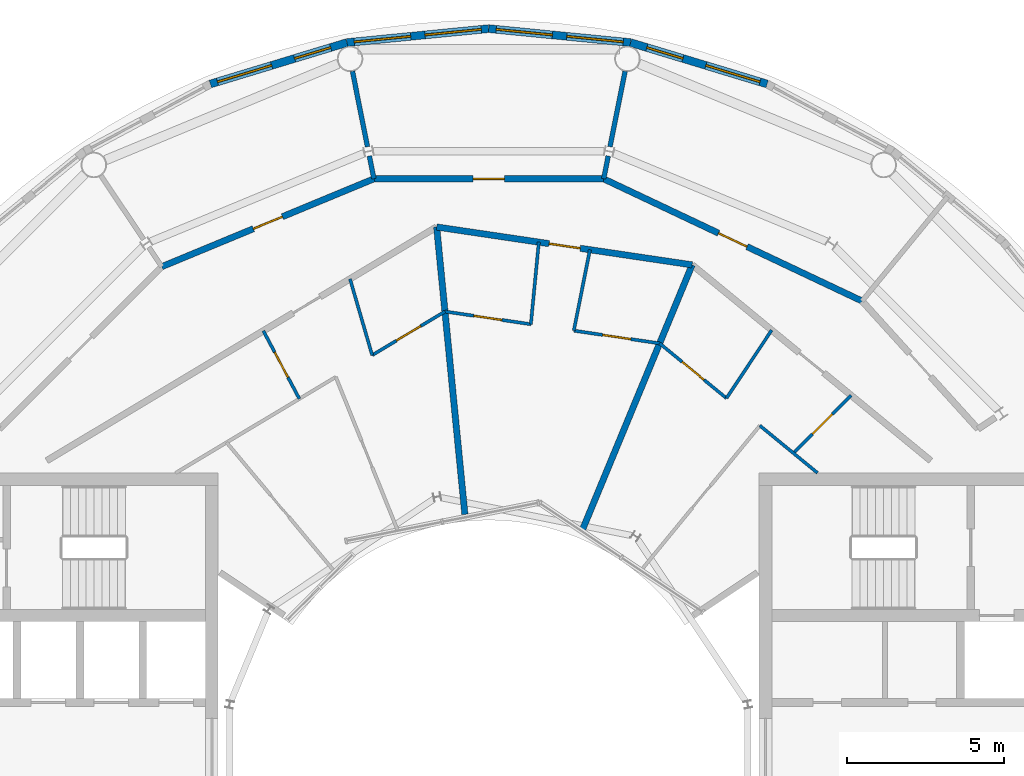
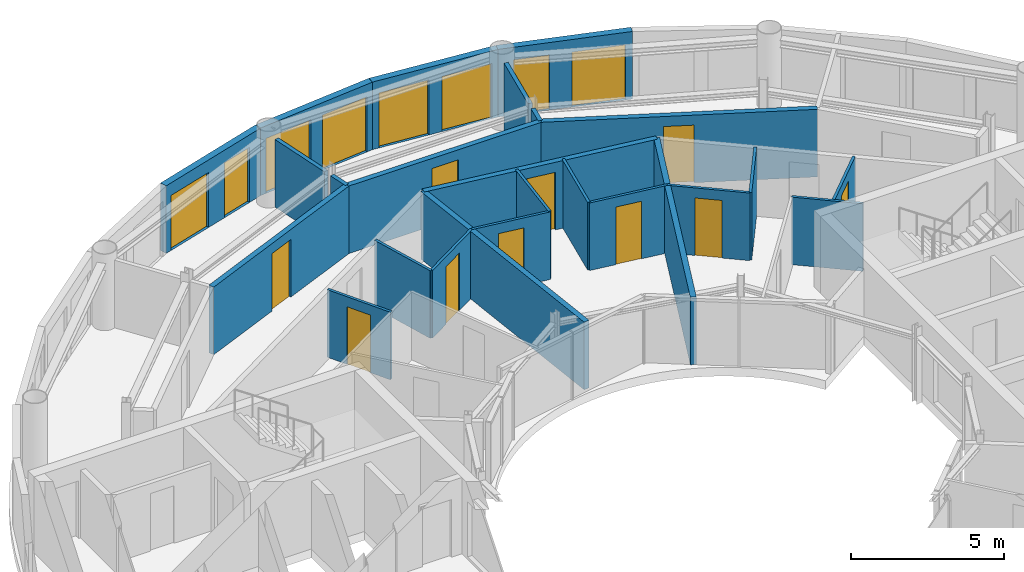
# One storey, part 13 of 17: 25 walls, 18 doors, 18 openings.
"""IFC4 building model written with IfcOpenShell, lengths in metres."""

from ifc_helpers import new_model, si_unit, direction, frame, frame_2d, origin, place, context, subcontext, project, spatial, rectangle, extrude, material, layer, layer_set, type_object, element, fill, save


model = new_model("IFC4")

# Units and contexts
model_context = context("Model", 3, precision=1e-05, world=origin(), true_north=direction((0.0, 1.0)))
body_context = subcontext(model_context, "Body", "Model", "MODEL_VIEW")
ifc_project = project(units=[si_unit("LENGTHUNIT", "METRE"), si_unit("AREAUNIT", "SQUARE_METRE"), si_unit("VOLUMEUNIT", "CUBIC_METRE"), si_unit("PLANEANGLEUNIT", "RADIAN"), si_unit("MASSUNIT", "GRAM", prefix="KILO")], contexts=[model_context])

# Site, building, storey
site_placement = place(None, origin())
site = spatial("IfcSite", under=ifc_project, at=site_placement, CompositionType="ELEMENT")
building_placement = place(site_placement, origin())
building = spatial("IfcBuilding", under=site, at=building_placement, Name="Maasbend Ring Residences", CompositionType="ELEMENT")
storey_placement = place(building_placement, frame((0.0, 0.0, 249.300048828125)))
storey = spatial("IfcBuildingStorey", under=building, at=storey_placement, Name="L72", CompositionType="ELEMENT", Elevation=249.300048828125)

# Wall, opening, door
ifc_material_1 = material(Name="Concrete C30/37", Category="concrete")
ifc_layer_1 = layer(ifc_material_1, 0.199951171875)
ifc_layer_set_1 = layer_set([ifc_layer_1], Name="Concrete C30/37")
wall_type_1 = type_object("IfcWallType", Name="CORRIDOR WALL 200 CONCRETE", PredefinedType="PARTITIONING", material=ifc_layer_set_1)
wall_1_placement = place(storey_placement, frame((-1.656005859375, 16.819091796875, 0.0), z_axis=(0.0, 0.0, 1.0), x_axis=(0.989174071716, -0.146746910856, 0.0)))
wall_1 = element("IfcWall", 1, at=wall_1_placement, inside=storey, type_object=wall_type_1, Name="U-L72-w065", PredefinedType="PARTITIONING", context=body_context, shape_type="SweptSolid", body=[
    extrude(rectangle(XDim=8.2119140625, YDim=0.199951171875, at=frame_2d((4.10595703125, 0.0))), origin(), (0.0, 0.0, 1.0), 2.699951171875),
])
opening_1_placement = place(wall_1_placement, frame((3.614013671875, 0.0, 0.0)))
opening_1 = element("IfcOpeningElement", 2, at=opening_1_placement, cuts=wall_1, Name="Opening D-7215", PredefinedType="OPENING", context=body_context, shape_type="SweptSolid", body=[
    extrude(rectangle(XDim=1.0, YDim=2.300048828125, at=frame_2d((0.5, 1.14990234375))), frame((0.0, 0.10986328125, 0.0), z_axis=(0.0, -1.0, 0.0), x_axis=(1.0, 0.0, 0.0)), (0.0, 0.0, 1.0), 0.219970703125),
])
ifc_material_2 = material(Name="Timber, fire-rated, painted", Category="wood")
door_type_1 = type_object("IfcDoorType", Name="FLAT ENTRANCE DOOR 1000 X 2300 FIRE-RATED", OperationType="NOTDEFINED", PredefinedType="DOOR", material=ifc_material_2)
door_1_placement = place(opening_1_placement, origin())
door_1 = element("IfcDoor", 3, at=door_1_placement, inside=storey, type_object=door_type_1, Name="D-7215", OperationType="SINGLE_SWING_RIGHT", OverallHeight=2.300048828125, OverallWidth=1.0, PredefinedType="DOOR", context=body_context, shape_type="SweptSolid", body=[
    extrude(rectangle(XDim=1.0, YDim=2.300048828125, at=frame_2d((0.5, 1.14990234375))), frame((0.0, 0.02490234375, 0.0), z_axis=(0.0, -1.0, 0.0), x_axis=(1.0, 0.0, 0.0)), (0.0, 0.0, 1.0), 0.050048828125),
])
fill(opening_1, door_1)

wall_2_placement = place(storey_placement, frame((3.64990234375, 18.35107421875, 0.0), z_axis=(0.0, 0.0, 1.0), x_axis=(0.904027935406, -0.427473381634, 0.0)))
wall_2 = element("IfcWall", 4, at=wall_2_placement, inside=storey, type_object=wall_type_1, Name="U-L72-w066", PredefinedType="PARTITIONING", context=body_context, shape_type="SweptSolid", body=[
    extrude(rectangle(XDim=9.0927734375, YDim=0.199951171875, at=frame_2d((4.54638671875, 0.0))), origin(), (0.0, 0.0, 1.0), 2.699951171875),
])
opening_2_placement = place(wall_2_placement, frame((4.0458984375, 0.0, 0.0)))
opening_2 = element("IfcOpeningElement", 5, at=opening_2_placement, cuts=wall_2, Name="Opening D-7202", PredefinedType="OPENING", context=body_context, shape_type="SweptSolid", body=[
    extrude(rectangle(XDim=1.0, YDim=2.300048828125, at=frame_2d((0.5, 1.14990234375))), frame((0.0, 0.10986328125, 0.0), z_axis=(0.0, -1.0, 0.0), x_axis=(1.0, 0.0, 0.0)), (0.0, 0.0, 1.0), 0.219970703125),
])
ifc_material_3 = material(Name="Timber, painted", Category="wood")
door_type_2 = type_object("IfcDoorType", Name="ROOM DOOR 1000 X 2300", OperationType="NOTDEFINED", PredefinedType="DOOR", material=ifc_material_3)
door_2_placement = place(opening_2_placement, origin())
door_2 = element("IfcDoor", 6, at=door_2_placement, inside=storey, type_object=door_type_2, Name="D-7202", OperationType="SINGLE_SWING_RIGHT", OverallHeight=2.300048828125, OverallWidth=1.0, PredefinedType="DOOR", context=body_context, shape_type="SweptSolid", body=[
    extrude(rectangle(XDim=1.0, YDim=2.300048828125, at=frame_2d((0.5, 1.14990234375))), frame((0.0, 0.02490234375, 0.0), z_axis=(0.0, -1.0, 0.0), x_axis=(1.0, 0.0, 0.0)), (0.0, 0.0, 1.0), 0.050048828125),
])
fill(opening_2, door_2)

wall_3_placement = place(storey_placement, frame((-10.39501953125, 15.556884765625, 0.0), z_axis=(0.0, 0.0, 1.0), x_axis=(0.923866436038, 0.382715048518, 0.0)))
wall_3 = element("IfcWall", 7, at=wall_3_placement, inside=storey, type_object=wall_type_1, Name="U-L72-w068", PredefinedType="PARTITIONING", context=body_context, shape_type="SweptSolid", body=[
    extrude(rectangle(XDim=7.301025390625, YDim=0.199951171875, at=frame_2d((3.650390625, 0.0))), origin(), (0.0, 0.0, 1.0), 2.699951171875),
])
opening_3_placement = place(wall_3_placement, frame((3.14990234375, 0.0, 0.0)))
opening_3 = element("IfcOpeningElement", 8, at=opening_3_placement, cuts=wall_3, Name="Opening D-7204", PredefinedType="OPENING", context=body_context, shape_type="SweptSolid", body=[
    extrude(rectangle(XDim=1.0, YDim=2.300048828125, at=frame_2d((0.5, 1.14990234375))), frame((0.0, 0.10986328125, 0.0), z_axis=(0.0, -1.0, 0.0), x_axis=(1.0, 0.0, 0.0)), (0.0, 0.0, 1.0), 0.219970703125),
])
door_3_placement = place(opening_3_placement, origin())
door_3 = element("IfcDoor", 9, at=door_3_placement, inside=storey, type_object=door_type_2, Name="D-7204", OperationType="SINGLE_SWING_LEFT", OverallHeight=2.300048828125, OverallWidth=1.0, PredefinedType="DOOR", context=body_context, shape_type="SweptSolid", body=[
    extrude(rectangle(XDim=1.0, YDim=2.300048828125, at=frame_2d((0.5, 1.14990234375))), frame((0.0, 0.02490234375, 0.0), z_axis=(0.0, -1.0, 0.0), x_axis=(1.0, 0.0, 0.0)), (0.0, 0.0, 1.0), 0.050048828125),
])
fill(opening_3, door_3)

wall_4_placement = place(storey_placement, frame((-3.64990234375, 18.35107421875, 0.0), z_axis=(0.0, 0.0, 1.0), x_axis=(1.0, 0.0, 0.0)))
wall_4 = element("IfcWall", 10, at=wall_4_placement, inside=storey, type_object=wall_type_1, Name="U-L72-w069", PredefinedType="PARTITIONING", context=body_context, shape_type="SweptSolid", body=[
    extrude(rectangle(XDim=7.2998046875, YDim=0.199951171875, at=frame_2d((3.64990234375, 0.0))), origin(), (0.0, 0.0, 1.0), 2.699951171875),
])
opening_4_placement = place(wall_4_placement, frame((3.14990234375, 0.0, 0.0)))
opening_4 = element("IfcOpeningElement", 11, at=opening_4_placement, cuts=wall_4, Name="Opening D-7203", PredefinedType="OPENING", context=body_context, shape_type="SweptSolid", body=[
    extrude(rectangle(XDim=1.0, YDim=2.300048828125, at=frame_2d((0.5, 1.14990234375))), frame((0.0, 0.10986328125, 0.0), z_axis=(0.0, -1.0, 0.0), x_axis=(1.0, 0.0, 0.0)), (0.0, 0.0, 1.0), 0.219970703125),
])
door_4_placement = place(opening_4_placement, origin())
door_4 = element("IfcDoor", 12, at=door_4_placement, inside=storey, type_object=door_type_2, Name="D-7203", OperationType="SINGLE_SWING_LEFT", OverallHeight=2.300048828125, OverallWidth=1.0, PredefinedType="DOOR", context=body_context, shape_type="SweptSolid", body=[
    extrude(rectangle(XDim=1.0, YDim=2.300048828125, at=frame_2d((0.5, 1.14990234375))), frame((0.0, 0.02490234375, 0.0), z_axis=(0.0, -1.0, 0.0), x_axis=(1.0, 0.0, 0.0)), (0.0, 0.0, 1.0), 0.050048828125),
])
fill(opening_4, door_4)

# Wall, openings, doors
ifc_material_4 = material(Name="Aluminium clad insulated panel", Category="aluminium")
ifc_layer_2 = layer(ifc_material_4, 0.25)
ifc_layer_set_2 = layer_set([ifc_layer_2], Name="EW-GL")
wall_type_2 = type_object("IfcWallType", Name="EW-GL", PredefinedType="SOLIDWALL", material=ifc_layer_set_2)
wall_5_placement = place(storey_placement, frame((8.85009765625, 21.364990234375, 0.0), z_axis=(0.0, 0.0, 1.0), x_axis=(-0.956960982965, 0.290216603735, 0.0)))
wall_5 = element("IfcWall", 13, at=wall_5_placement, inside=storey, type_object=wall_type_2, Name="External wall N04", PredefinedType="SOLIDWALL", context=body_context, shape_type="SweptSolid", body=[
    extrude(rectangle(XDim=4.5341796875, YDim=0.25, at=frame_2d((2.26708984375, 0.0))), origin(), (0.0, 0.0, 1.0), 2.699951171875),
])
opening_5_placement = place(wall_5_placement, frame((0.236083984375, 0.0, 0.0)))
opening_5 = element("IfcOpeningElement", 14, at=opening_5_placement, cuts=wall_5, Name="Opening D-TR", PredefinedType="OPENING", context=body_context, shape_type="SweptSolid", body=[
    extrude(rectangle(XDim=1.800048828125, YDim=2.199951171875, at=frame_2d((0.89990234375, 1.10009765625))), frame((0.0, 0.135009765625, 0.0), z_axis=(0.0, -1.0, 0.0), x_axis=(1.0, 0.0, 0.0)), (0.0, 0.0, 1.0), 0.27001953125),
])
opening_6_placement = place(wall_5_placement, frame((2.797119140625, 0.0, 0.0)))
opening_6 = element("IfcOpeningElement", 15, at=opening_6_placement, cuts=wall_5, Name="Opening D-TN", PredefinedType="OPENING", context=body_context, shape_type="SweptSolid", body=[
    extrude(rectangle(XDim=1.199951171875, YDim=2.199951171875, at=frame_2d((0.60009765625, 1.10009765625))), frame((0.0, 0.135009765625, 0.0), z_axis=(0.0, -1.0, 0.0), x_axis=(1.0, 0.0, 0.0)), (0.0, 0.0, 1.0), 0.27001953125),
])
ifc_material_5 = material(Name="Aluminium and clear glass", Category="aluminium")
door_type_3 = type_object("IfcDoorType", Name="D-TN", OperationType="SINGLE_SWING_LEFT", PredefinedType="DOOR", material=ifc_material_5)
door_5_placement = place(opening_6_placement, origin())
door_5 = element("IfcDoor", 16, at=door_5_placement, inside=storey, type_object=door_type_3, Name="Terrace door N08", OperationType="SINGLE_SWING_LEFT", OverallHeight=2.199951171875, OverallWidth=1.199951171875, PredefinedType="DOOR", context=body_context, shape_type="SweptSolid", body=[
    extrude(rectangle(XDim=1.199951171875, YDim=2.199951171875, at=frame_2d((0.60009765625, 1.10009765625))), frame((0.0, 0.02490234375, 0.0), z_axis=(0.0, -1.0, 0.0), x_axis=(1.0, 0.0, 0.0)), (0.0, 0.0, 1.0), 0.050048828125),
])
fill(opening_6, door_5)
ifc_material_6 = material(Name="Aluminium and clear glass", Category="aluminium")
door_type_4 = type_object("IfcDoorType", Name="D-TR", OperationType="DOUBLE_DOOR_SINGLE_SWING", PredefinedType="DOOR", material=ifc_material_6)
door_6_placement = place(opening_5_placement, origin())
door_6 = element("IfcDoor", 17, at=door_6_placement, inside=storey, type_object=door_type_4, Name="Terrace door N07", OperationType="SINGLE_SWING_LEFT", OverallHeight=2.199951171875, OverallWidth=1.800048828125, PredefinedType="DOOR", context=body_context, shape_type="SweptSolid", body=[
    extrude(rectangle(XDim=1.800048828125, YDim=2.199951171875, at=frame_2d((0.89990234375, 1.10009765625))), frame((0.0, 0.02490234375, 0.0), z_axis=(0.0, -1.0, 0.0), x_axis=(1.0, 0.0, 0.0)), (0.0, 0.0, 1.0), 0.050048828125),
])
fill(opening_5, door_6)

wall_6_placement = place(storey_placement, frame((4.510986328125, 22.680908203125, 0.0), z_axis=(0.0, 0.0, 1.0), x_axis=(-0.995189063612, 0.097973096645, 0.0)))
wall_6 = element("IfcWall", 18, at=wall_6_placement, inside=storey, type_object=wall_type_2, Name="External wall N05", PredefinedType="SOLIDWALL", context=body_context, shape_type="SweptSolid", body=[
    extrude(rectangle(XDim=4.53271484375, YDim=0.25, at=frame_2d((2.266357421875, 0.0))), origin(), (0.0, 0.0, 1.0), 2.699951171875),
])
opening_7_placement = place(wall_6_placement, frame((0.236083984375, 0.0, 0.0)))
opening_7 = element("IfcOpeningElement", 19, at=opening_7_placement, cuts=wall_6, Name="Opening D-TR", PredefinedType="OPENING", context=body_context, shape_type="SweptSolid", body=[
    extrude(rectangle(XDim=1.800048828125, YDim=2.199951171875, at=frame_2d((0.89990234375, 1.10009765625))), frame((0.0, 0.135009765625, 0.0), z_axis=(0.0, -1.0, 0.0), x_axis=(1.0, 0.0, 0.0)), (0.0, 0.0, 1.0), 0.27001953125),
])
opening_8_placement = place(wall_6_placement, frame((2.497314453125, 0.0, 0.0)))
opening_8 = element("IfcOpeningElement", 20, at=opening_8_placement, cuts=wall_6, Name="Opening D-TR", PredefinedType="OPENING", context=body_context, shape_type="SweptSolid", body=[
    extrude(rectangle(XDim=1.800048828125, YDim=2.199951171875, at=frame_2d((0.89990234375, 1.10009765625))), frame((0.0, 0.135009765625, 0.0), z_axis=(0.0, -1.0, 0.0), x_axis=(1.0, 0.0, 0.0)), (0.0, 0.0, 1.0), 0.27001953125),
])
door_7_placement = place(opening_7_placement, origin())
door_7 = element("IfcDoor", 21, at=door_7_placement, inside=storey, type_object=door_type_4, Name="Terrace door N09", OperationType="SINGLE_SWING_LEFT", OverallHeight=2.199951171875, OverallWidth=1.800048828125, PredefinedType="DOOR", context=body_context, shape_type="SweptSolid", body=[
    extrude(rectangle(XDim=1.800048828125, YDim=2.199951171875, at=frame_2d((0.89990234375, 1.10009765625))), frame((0.0, 0.02490234375, 0.0), z_axis=(0.0, -1.0, 0.0), x_axis=(1.0, 0.0, 0.0)), (0.0, 0.0, 1.0), 0.050048828125),
])
fill(opening_7, door_7)
door_8_placement = place(opening_8_placement, origin())
door_8 = element("IfcDoor", 22, at=door_8_placement, inside=storey, type_object=door_type_4, Name="Terrace door N10", OperationType="SINGLE_SWING_LEFT", OverallHeight=2.199951171875, OverallWidth=1.800048828125, PredefinedType="DOOR", context=body_context, shape_type="SweptSolid", body=[
    extrude(rectangle(XDim=1.800048828125, YDim=2.199951171875, at=frame_2d((0.89990234375, 1.10009765625))), frame((0.0, 0.02490234375, 0.0), z_axis=(0.0, -1.0, 0.0), x_axis=(1.0, 0.0, 0.0)), (0.0, 0.0, 1.0), 0.050048828125),
])
fill(opening_8, door_8)

wall_7_placement = place(storey_placement, frame((0.0, 23.125, 0.0), z_axis=(0.0, 0.0, 1.0), x_axis=(-0.995189063612, -0.097973096645, 0.0)))
wall_7 = element("IfcWall", 23, at=wall_7_placement, inside=storey, type_object=wall_type_2, Name="External wall N06", PredefinedType="SOLIDWALL", context=body_context, shape_type="SweptSolid", body=[
    extrude(rectangle(XDim=4.53271484375, YDim=0.25, at=frame_2d((2.266357421875, 0.0))), origin(), (0.0, 0.0, 1.0), 2.699951171875),
])
opening_9_placement = place(wall_7_placement, frame((0.236083984375, 0.0, 0.0)))
opening_9 = element("IfcOpeningElement", 24, at=opening_9_placement, cuts=wall_7, Name="Opening D-TR", PredefinedType="OPENING", context=body_context, shape_type="SweptSolid", body=[
    extrude(rectangle(XDim=1.800048828125, YDim=2.199951171875, at=frame_2d((0.89990234375, 1.10009765625))), frame((0.0, 0.135009765625, 0.0), z_axis=(0.0, -1.0, 0.0), x_axis=(1.0, 0.0, 0.0)), (0.0, 0.0, 1.0), 0.27001953125),
])
opening_10_placement = place(wall_7_placement, frame((2.497314453125, 0.0, 0.0)))
opening_10 = element("IfcOpeningElement", 25, at=opening_10_placement, cuts=wall_7, Name="Opening D-TR", PredefinedType="OPENING", context=body_context, shape_type="SweptSolid", body=[
    extrude(rectangle(XDim=1.800048828125, YDim=2.199951171875, at=frame_2d((0.89990234375, 1.10009765625))), frame((0.0, 0.135009765625, 0.0), z_axis=(0.0, -1.0, 0.0), x_axis=(1.0, 0.0, 0.0)), (0.0, 0.0, 1.0), 0.27001953125),
])
door_9_placement = place(opening_9_placement, origin())
door_9 = element("IfcDoor", 26, at=door_9_placement, inside=storey, type_object=door_type_4, Name="Terrace door N11", OperationType="SINGLE_SWING_LEFT", OverallHeight=2.199951171875, OverallWidth=1.800048828125, PredefinedType="DOOR", context=body_context, shape_type="SweptSolid", body=[
    extrude(rectangle(XDim=1.800048828125, YDim=2.199951171875, at=frame_2d((0.89990234375, 1.10009765625))), frame((0.0, 0.02490234375, 0.0), z_axis=(0.0, -1.0, 0.0), x_axis=(1.0, 0.0, 0.0)), (0.0, 0.0, 1.0), 0.050048828125),
])
fill(opening_9, door_9)
door_10_placement = place(opening_10_placement, origin())
door_10 = element("IfcDoor", 27, at=door_10_placement, inside=storey, type_object=door_type_4, Name="Terrace door N12", OperationType="SINGLE_SWING_LEFT", OverallHeight=2.199951171875, OverallWidth=1.800048828125, PredefinedType="DOOR", context=body_context, shape_type="SweptSolid", body=[
    extrude(rectangle(XDim=1.800048828125, YDim=2.199951171875, at=frame_2d((0.89990234375, 1.10009765625))), frame((0.0, 0.02490234375, 0.0), z_axis=(0.0, -1.0, 0.0), x_axis=(1.0, 0.0, 0.0)), (0.0, 0.0, 1.0), 0.050048828125),
])
fill(opening_10, door_10)

wall_8_placement = place(storey_placement, frame((-4.510986328125, 22.680908203125, 0.0), z_axis=(0.0, 0.0, 1.0), x_axis=(-0.956960982965, -0.290216603735, 0.0)))
wall_8 = element("IfcWall", 28, at=wall_8_placement, inside=storey, type_object=wall_type_2, Name="External wall N07", PredefinedType="SOLIDWALL", context=body_context, shape_type="SweptSolid", body=[
    extrude(rectangle(XDim=4.5341796875, YDim=0.25, at=frame_2d((2.26708984375, 0.0))), origin(), (0.0, 0.0, 1.0), 2.699951171875),
])
opening_11_placement = place(wall_8_placement, frame((0.5361328125, 0.0, 0.0)))
opening_11 = element("IfcOpeningElement", 29, at=opening_11_placement, cuts=wall_8, Name="Opening D-TN", PredefinedType="OPENING", context=body_context, shape_type="SweptSolid", body=[
    extrude(rectangle(XDim=1.199951171875, YDim=2.199951171875, at=frame_2d((0.60009765625, 1.10009765625))), frame((0.0, 0.135009765625, 0.0), z_axis=(0.0, -1.0, 0.0), x_axis=(1.0, 0.0, 0.0)), (0.0, 0.0, 1.0), 0.27001953125),
])
opening_12_placement = place(wall_8_placement, frame((2.497314453125, 0.0, 0.0)))
opening_12 = element("IfcOpeningElement", 30, at=opening_12_placement, cuts=wall_8, Name="Opening D-TR", PredefinedType="OPENING", context=body_context, shape_type="SweptSolid", body=[
    extrude(rectangle(XDim=1.800048828125, YDim=2.199951171875, at=frame_2d((0.89990234375, 1.10009765625))), frame((0.0, 0.135009765625, 0.0), z_axis=(0.0, -1.0, 0.0), x_axis=(1.0, 0.0, 0.0)), (0.0, 0.0, 1.0), 0.27001953125),
])
door_11_placement = place(opening_11_placement, origin())
door_11 = element("IfcDoor", 31, at=door_11_placement, inside=storey, type_object=door_type_3, Name="Terrace door N13", OperationType="SINGLE_SWING_LEFT", OverallHeight=2.199951171875, OverallWidth=1.199951171875, PredefinedType="DOOR", context=body_context, shape_type="SweptSolid", body=[
    extrude(rectangle(XDim=1.199951171875, YDim=2.199951171875, at=frame_2d((0.60009765625, 1.10009765625))), frame((0.0, 0.02490234375, 0.0), z_axis=(0.0, -1.0, 0.0), x_axis=(1.0, 0.0, 0.0)), (0.0, 0.0, 1.0), 0.050048828125),
])
fill(opening_11, door_11)
door_12_placement = place(opening_12_placement, origin())
door_12 = element("IfcDoor", 32, at=door_12_placement, inside=storey, type_object=door_type_4, Name="Terrace door N14", OperationType="SINGLE_SWING_LEFT", OverallHeight=2.199951171875, OverallWidth=1.800048828125, PredefinedType="DOOR", context=body_context, shape_type="SweptSolid", body=[
    extrude(rectangle(XDim=1.800048828125, YDim=2.199951171875, at=frame_2d((0.89990234375, 1.10009765625))), frame((0.0, 0.02490234375, 0.0), z_axis=(0.0, -1.0, 0.0), x_axis=(1.0, 0.0, 0.0)), (0.0, 0.0, 1.0), 0.050048828125),
])
fill(opening_12, door_12)

# Wall, opening, door
ifc_material_7 = material(Name="Gypsum board on steel studs", Category="steel")
ifc_layer_3 = layer(ifc_material_7, 0.10009765625)
ifc_layer_set_3 = layer_set([ifc_layer_3], Name="PARTITION 100 GYPSUM")
wall_type_3 = type_object("IfcWallType", Name="PARTITION 100 GYPSUM", PredefinedType="PARTITIONING", material=ifc_layer_set_3)
wall_9_placement = place(storey_placement, frame((-7.166015625, 13.51708984375, 0.0), z_axis=(0.0, 0.0, 1.0), x_axis=(0.468337293896, -0.883549760425, 0.0)))
wall_9 = element("IfcWall", 33, at=wall_9_placement, inside=storey, type_object=wall_type_3, Name="U-L72-w024", PredefinedType="PARTITIONING", context=body_context, shape_type="SweptSolid", body=[
    extrude(rectangle(XDim=2.44482421875, YDim=0.10009765625, at=frame_2d((1.222412109375, 0.0))), origin(), (0.0, 0.0, 1.0), 2.699951171875),
])
opening_13_placement = place(wall_9_placement, frame((0.77197265625, 0.0, 0.0)))
opening_13 = element("IfcOpeningElement", 34, at=opening_13_placement, cuts=wall_9, Name="Opening D-7220", PredefinedType="OPENING", context=body_context, shape_type="SweptSolid", body=[
    extrude(rectangle(XDim=0.89990234375, YDim=2.300048828125, at=frame_2d((0.449951171875, 1.14990234375))), frame((0.0, 0.06005859375, 0.0), z_axis=(0.0, -1.0, 0.0), x_axis=(1.0, 0.0, 0.0)), (0.0, 0.0, 1.0), 0.1201171875),
])
ifc_material_8 = material(Name="Timber, painted", Category="wood")
door_type_5 = type_object("IfcDoorType", Name="INTERNAL DOOR 900 X 2300", OperationType="NOTDEFINED", PredefinedType="DOOR", material=ifc_material_8)
door_13_placement = place(opening_13_placement, origin())
door_13 = element("IfcDoor", 35, at=door_13_placement, inside=storey, type_object=door_type_5, Name="D-7220", OperationType="SINGLE_SWING_LEFT", OverallHeight=2.300048828125, OverallWidth=0.89990234375, PredefinedType="DOOR", context=body_context, shape_type="SweptSolid", body=[
    extrude(rectangle(XDim=0.89990234375, YDim=2.300048828125, at=frame_2d((0.449951171875, 1.14990234375))), frame((0.0, 0.02490234375, 0.0), z_axis=(0.0, -1.0, 0.0), x_axis=(1.0, 0.0, 0.0)), (0.0, 0.0, 1.0), 0.050048828125),
])
fill(opening_13, door_13)

# Walls
wall_10_placement = place(storey_placement, frame((-4.410888671875, 15.16796875, 0.0), z_axis=(0.0, 0.0, 1.0), x_axis=(0.279201466266, -0.960232545395, 0.0)))
element("IfcWall", 36, at=wall_10_placement, inside=storey, type_object=wall_type_3, Name="U-L72-w028", PredefinedType="PARTITIONING", context=body_context, shape_type="SweptSolid", body=[
    extrude(rectangle(XDim=2.5244140625, YDim=0.10009765625, at=frame_2d((1.26220703125, 0.0))), origin(), (0.0, 0.0, 1.0), 2.699951171875),
])
wall_11_placement = place(storey_placement, frame((1.339111328125, 13.72705078125, 0.0), z_axis=(0.0, 0.0, 1.0), x_axis=(0.096830025237, 0.995300932489, 0.0)))
element("IfcWall", 37, at=wall_11_placement, inside=storey, type_object=wall_type_3, Name="U-L72-w036", PredefinedType="PARTITIONING", context=body_context, shape_type="SweptSolid", body=[
    extrude(rectangle(XDim=2.6220703125, YDim=0.10009765625, at=frame_2d((1.31103515625, 0.0))), origin(), (0.0, 0.0, 1.0), 2.699951171875),
])
wall_12_placement = place(storey_placement, frame((2.7041015625, 13.52392578125, 0.0), z_axis=(0.0, 0.0, 1.0), x_axis=(0.195937128464, 0.980616460034, 0.0)))
element("IfcWall", 38, at=wall_12_placement, inside=storey, type_object=wall_type_3, Name="U-L72-w039", PredefinedType="PARTITIONING", context=body_context, shape_type="SweptSolid", body=[
    extrude(rectangle(XDim=2.622802734375, YDim=0.10009765625, at=frame_2d((1.3115234375, 0.0))), origin(), (0.0, 0.0, 1.0), 2.699951171875),
])
wall_13_placement = place(storey_placement, frame((7.55810546875, 11.3759765625, 0.0), z_axis=(0.0, 0.0, 1.0), x_axis=(0.553615197403, 0.83277260594, 0.0)))
element("IfcWall", 39, at=wall_13_placement, inside=storey, type_object=wall_type_3, Name="U-L72-w048", PredefinedType="PARTITIONING", context=body_context, shape_type="SweptSolid", body=[
    extrude(rectangle(XDim=2.597412109375, YDim=0.10009765625, at=frame_2d((1.298828125, 0.0))), origin(), (0.0, 0.0, 1.0), 2.699951171875),
])

# Wall, opening, door
wall_14_placement = place(storey_placement, frame((9.68310546875, 9.632080078125, 0.0), z_axis=(0.0, 0.0, 1.0), x_axis=(0.708796844581, 0.705412668665, 0.0)))
wall_14 = element("IfcWall", 40, at=wall_14_placement, inside=storey, type_object=wall_type_3, Name="U-L72-w049", PredefinedType="PARTITIONING", context=body_context, shape_type="SweptSolid", body=[
    extrude(rectangle(XDim=2.59716796875, YDim=0.10009765625, at=frame_2d((1.298583984375, 0.0))), origin(), (0.0, 0.0, 1.0), 2.699951171875),
])
opening_14_placement = place(wall_14_placement, frame((0.84912109375, 0.0, 0.0)))
opening_14 = element("IfcOpeningElement", 41, at=opening_14_placement, cuts=wall_14, Name="Opening D-7213", PredefinedType="OPENING", context=body_context, shape_type="SweptSolid", body=[
    extrude(rectangle(XDim=0.89990234375, YDim=2.300048828125, at=frame_2d((0.449951171875, 1.14990234375))), frame((0.0, 0.06005859375, 0.0), z_axis=(0.0, -1.0, 0.0), x_axis=(1.0, 0.0, 0.0)), (0.0, 0.0, 1.0), 0.1201171875),
])
door_14_placement = place(opening_14_placement, origin())
door_14 = element("IfcDoor", 42, at=door_14_placement, inside=storey, type_object=door_type_5, Name="D-7213", OperationType="SINGLE_SWING_LEFT", OverallHeight=2.300048828125, OverallWidth=0.89990234375, PredefinedType="DOOR", context=body_context, shape_type="SweptSolid", body=[
    extrude(rectangle(XDim=0.89990234375, YDim=2.300048828125, at=frame_2d((0.449951171875, 1.14990234375))), frame((0.0, 0.02490234375, 0.0), z_axis=(0.0, -1.0, 0.0), x_axis=(1.0, 0.0, 0.0)), (0.0, 0.0, 1.0), 0.050048828125),
])
fill(opening_14, door_14)

wall_15_placement = place(storey_placement, frame((-3.7060546875, 12.743896484375, 0.0), z_axis=(0.0, 0.0, 1.0), x_axis=(0.857524856518, 0.514442533674, 0.0)))
wall_15 = element("IfcWall", 43, at=wall_15_placement, inside=storey, type_object=wall_type_3, Name="U-L72-w058", PredefinedType="PARTITIONING", context=body_context, shape_type="SweptSolid", body=[
    extrude(rectangle(XDim=2.698486328125, YDim=0.10009765625, at=frame_2d((1.34912109375, 0.0))), origin(), (0.0, 0.0, 1.0), 2.699951171875),
])
opening_15_placement = place(wall_15_placement, frame((0.89892578125, 0.0, 0.0)))
opening_15 = element("IfcOpeningElement", 44, at=opening_15_placement, cuts=wall_15, Name="Opening D-7219", PredefinedType="OPENING", context=body_context, shape_type="SweptSolid", body=[
    extrude(rectangle(XDim=0.89990234375, YDim=2.300048828125, at=frame_2d((0.449951171875, 1.14990234375))), frame((0.0, 0.06005859375, 0.0), z_axis=(0.0, -1.0, 0.0), x_axis=(1.0, 0.0, 0.0)), (0.0, 0.0, 1.0), 0.1201171875),
])
door_15_placement = place(opening_15_placement, origin())
door_15 = element("IfcDoor", 45, at=door_15_placement, inside=storey, type_object=door_type_5, Name="D-7219", OperationType="SINGLE_SWING_RIGHT", OverallHeight=2.300048828125, OverallWidth=0.89990234375, PredefinedType="DOOR", context=body_context, shape_type="SweptSolid", body=[
    extrude(rectangle(XDim=0.89990234375, YDim=2.300048828125, at=frame_2d((0.449951171875, 1.14990234375))), frame((0.0, 0.02490234375, 0.0), z_axis=(0.0, -1.0, 0.0), x_axis=(1.0, 0.0, 0.0)), (0.0, 0.0, 1.0), 0.050048828125),
])
fill(opening_15, door_15)

wall_16_placement = place(storey_placement, frame((5.430908203125, 13.1201171875, 0.0), z_axis=(0.0, 0.0, 1.0), x_axis=(0.773149312811, -0.634224045665, 0.0)))
wall_16 = element("IfcWall", 46, at=wall_16_placement, inside=storey, type_object=wall_type_3, Name="U-L72-w059", PredefinedType="PARTITIONING", context=body_context, shape_type="SweptSolid", body=[
    extrude(rectangle(XDim=2.74853515625, YDim=0.10009765625, at=frame_2d((1.374267578125, 0.0))), origin(), (0.0, 0.0, 1.0), 2.699951171875),
])
opening_16_placement = place(wall_16_placement, frame((0.927001953125, 0.0, 0.0)))
opening_16 = element("IfcOpeningElement", 47, at=opening_16_placement, cuts=wall_16, Name="Opening D-7212", PredefinedType="OPENING", context=body_context, shape_type="SweptSolid", body=[
    extrude(rectangle(XDim=0.89990234375, YDim=2.300048828125, at=frame_2d((0.449951171875, 1.14990234375))), frame((0.0, 0.06005859375, 0.0), z_axis=(0.0, -1.0, 0.0), x_axis=(1.0, 0.0, 0.0)), (0.0, 0.0, 1.0), 0.1201171875),
])
door_16_placement = place(opening_16_placement, origin())
door_16 = element("IfcDoor", 48, at=door_16_placement, inside=storey, type_object=door_type_5, Name="D-7212", OperationType="SINGLE_SWING_RIGHT", OverallHeight=2.300048828125, OverallWidth=0.89990234375, PredefinedType="DOOR", context=body_context, shape_type="SweptSolid", body=[
    extrude(rectangle(XDim=0.89990234375, YDim=2.300048828125, at=frame_2d((0.449951171875, 1.14990234375))), frame((0.0, 0.02490234375, 0.0), z_axis=(0.0, -1.0, 0.0), x_axis=(1.0, 0.0, 0.0)), (0.0, 0.0, 1.0), 0.050048828125),
])
fill(opening_16, door_16)

# Wall
wall_17_placement = place(storey_placement, frame((8.618896484375, 10.5048828125, 0.0), z_axis=(0.0, 0.0, 1.0), x_axis=(0.773094085324, -0.634291364624, 0.0)))
element("IfcWall", 49, at=wall_17_placement, inside=storey, type_object=wall_type_3, Name="U-L72-w060", PredefinedType="PARTITIONING", context=body_context, shape_type="SweptSolid", body=[
    extrude(rectangle(XDim=2.37109375, YDim=0.10009765625, at=frame_2d((1.185546875, 0.0))), origin(), (0.0, 0.0, 1.0), 2.699951171875),
])

# Wall, opening, door
wall_18_placement = place(storey_placement, frame((-1.39208984375, 14.132080078125, 0.0), z_axis=(0.0, 0.0, 1.0), x_axis=(0.989153611195, -0.146884762516, 0.0)))
wall_18 = element("IfcWall", 50, at=wall_18_placement, inside=storey, type_object=wall_type_3, Name="U-L72-w061", PredefinedType="PARTITIONING", context=body_context, shape_type="SweptSolid", body=[
    extrude(rectangle(XDim=2.76416015625, YDim=0.10009765625, at=frame_2d((1.382080078125, 0.0))), origin(), (0.0, 0.0, 1.0), 2.699951171875),
])
opening_17_placement = place(wall_18_placement, frame((0.931884765625, 0.0, 0.0)))
opening_17 = element("IfcOpeningElement", 51, at=opening_17_placement, cuts=wall_18, Name="Opening D-7217", PredefinedType="OPENING", context=body_context, shape_type="SweptSolid", body=[
    extrude(rectangle(XDim=0.89990234375, YDim=2.300048828125, at=frame_2d((0.449951171875, 1.14990234375))), frame((0.0, 0.06005859375, 0.0), z_axis=(0.0, -1.0, 0.0), x_axis=(1.0, 0.0, 0.0)), (0.0, 0.0, 1.0), 0.1201171875),
])
door_17_placement = place(opening_17_placement, origin())
door_17 = element("IfcDoor", 52, at=door_17_placement, inside=storey, type_object=door_type_5, Name="D-7217", OperationType="SINGLE_SWING_RIGHT", OverallHeight=2.300048828125, OverallWidth=0.89990234375, PredefinedType="DOOR", context=body_context, shape_type="SweptSolid", body=[
    extrude(rectangle(XDim=0.89990234375, YDim=2.300048828125, at=frame_2d((0.449951171875, 1.14990234375))), frame((0.0, 0.02490234375, 0.0), z_axis=(0.0, -1.0, 0.0), x_axis=(1.0, 0.0, 0.0)), (0.0, 0.0, 1.0), 0.050048828125),
])
fill(opening_17, door_17)

wall_19_placement = place(storey_placement, frame((2.70703125, 13.52294921875, 0.0), z_axis=(0.0, 0.0, 1.0), x_axis=(0.98916494308, -0.146808430897, 0.0)))
wall_19 = element("IfcWall", 53, at=wall_19_placement, inside=storey, type_object=wall_type_3, Name="U-L72-w062", PredefinedType="PARTITIONING", context=body_context, shape_type="SweptSolid", body=[
    extrude(rectangle(XDim=2.7587890625, YDim=0.10009765625, at=frame_2d((1.37939453125, 0.0))), origin(), (0.0, 0.0, 1.0), 2.699951171875),
])
opening_18_placement = place(wall_19_placement, frame((0.927001953125, 0.0, 0.0)))
opening_18 = element("IfcOpeningElement", 54, at=opening_18_placement, cuts=wall_19, Name="Opening D-7216", PredefinedType="OPENING", context=body_context, shape_type="SweptSolid", body=[
    extrude(rectangle(XDim=0.89990234375, YDim=2.300048828125, at=frame_2d((0.449951171875, 1.14990234375))), frame((0.0, 0.06005859375, 0.0), z_axis=(0.0, -1.0, 0.0), x_axis=(1.0, 0.0, 0.0)), (0.0, 0.0, 1.0), 0.1201171875),
])
door_18_placement = place(opening_18_placement, origin())
door_18 = element("IfcDoor", 55, at=door_18_placement, inside=storey, type_object=door_type_5, Name="D-7216", OperationType="SINGLE_SWING_LEFT", OverallHeight=2.300048828125, OverallWidth=0.89990234375, PredefinedType="DOOR", context=body_context, shape_type="SweptSolid", body=[
    extrude(rectangle(XDim=0.89990234375, YDim=2.300048828125, at=frame_2d((0.449951171875, 1.14990234375))), frame((0.0, 0.02490234375, 0.0), z_axis=(0.0, -1.0, 0.0), x_axis=(1.0, 0.0, 0.0)), (0.0, 0.0, 1.0), 0.050048828125),
])
fill(opening_18, door_18)

# Walls
ifc_material_9 = material(Name="Gypsum board on steel studs", Category="steel")
ifc_layer_4 = layer(ifc_material_9, 0.14990234375)
ifc_layer_set_4 = layer_set([ifc_layer_4], Name="PARTITION 150 GYPSUM")
wall_type_4 = type_object("IfcWallType", Name="PARTITION 150 GYPSUM", PredefinedType="PARTITIONING", material=ifc_layer_set_4)
wall_20_placement = place(storey_placement, frame((-4.3330078125, 21.77392578125, 0.0), z_axis=(0.0, 0.0, 1.0), x_axis=(0.195043256877, -0.980794641068, 0.0)))
element("IfcWall", 56, at=wall_20_placement, inside=storey, type_object=wall_type_4, Name="U-L72-w029", PredefinedType="PARTITIONING", context=body_context, shape_type="SweptSolid", body=[
    extrude(rectangle(XDim=2.450927734375, YDim=0.14990234375, at=frame_2d((1.2255859375, 0.0))), origin(), (0.0, 0.0, 1.0), 2.699951171875),
])
wall_21_placement = place(storey_placement, frame((-3.7958984375, 19.075927734375, 0.0), z_axis=(0.0, 0.0, 1.0), x_axis=(0.194591088663, -0.980884452019, 0.0)))
element("IfcWall", 57, at=wall_21_placement, inside=storey, type_object=wall_type_4, Name="U-L72-w031", PredefinedType="PARTITIONING", context=body_context, shape_type="SweptSolid", body=[
    extrude(rectangle(XDim=0.739013671875, YDim=0.14990234375, at=frame_2d((0.36962890625, 0.0))), origin(), (0.0, 0.0, 1.0), 2.699951171875),
])
wall_22_placement = place(storey_placement, frame((3.654052734375, 18.35009765625, 0.0), z_axis=(0.0, 0.0, 1.0), x_axis=(0.194656627734, 0.980871447887, 0.0)))
element("IfcWall", 58, at=wall_22_placement, inside=storey, type_object=wall_type_4, Name="U-L72-w042", PredefinedType="PARTITIONING", context=body_context, shape_type="SweptSolid", body=[
    extrude(rectangle(XDim=0.739990234375, YDim=0.14990234375, at=frame_2d((0.3701171875, 0.0))), origin(), (0.0, 0.0, 1.0), 2.699951171875),
])
wall_23_placement = place(storey_placement, frame((3.85693359375, 19.3701171875, 0.0), z_axis=(0.0, 0.0, 1.0), x_axis=(0.195043256877, 0.980794641068, 0.0)))
element("IfcWall", 59, at=wall_23_placement, inside=storey, type_object=wall_type_4, Name="U-L72-w044", PredefinedType="PARTITIONING", context=body_context, shape_type="SweptSolid", body=[
    extrude(rectangle(XDim=2.450927734375, YDim=0.14990234375, at=frame_2d((1.2255859375, 0.0))), origin(), (0.0, 0.0, 1.0), 2.699951171875),
])
ifc_material_10 = material(Name="Concrete C30/37", Category="concrete")
ifc_layer_5 = layer(ifc_material_10, 0.199951171875)
ifc_layer_set_5 = layer_set([ifc_layer_5], Name="Concrete C30/37")
wall_type_5 = type_object("IfcWallType", Name="PARTY WALL 200 CONCRETE", PredefinedType="PARTITIONING", material=ifc_layer_set_5)
wall_24_placement = place(storey_placement, frame((-1.656005859375, 16.819091796875, 0.0), z_axis=(0.0, 0.0, 1.0), x_axis=(0.097815726767, -0.995204543597, 0.0)))
element("IfcWall", 60, at=wall_24_placement, inside=storey, type_object=wall_type_5, Name="U-L72-w034", PredefinedType="PARTITIONING", context=body_context, shape_type="SweptSolid", body=[
    extrude(rectangle(XDim=9.179931640625, YDim=0.199951171875, at=frame_2d((4.58984375, 0.0))), origin(), (0.0, 0.0, 1.0), 2.699951171875),
])
wall_25_placement = place(storey_placement, frame((2.955078125, 7.132080078125, 0.0), z_axis=(0.0, 0.0, 1.0), x_axis=(0.382556139466, 0.923932248683, 0.0)))
element("IfcWall", 61, at=wall_25_placement, inside=storey, type_object=wall_type_5, Name="U-L72-w040", PredefinedType="PARTITIONING", context=body_context, shape_type="SweptSolid", body=[
    extrude(rectangle(XDim=9.18017578125, YDim=0.199951171875, at=frame_2d((4.590087890625, 0.0))), origin(), (0.0, 0.0, 1.0), 2.699951171875),
])

save(model, "model.ifc")
